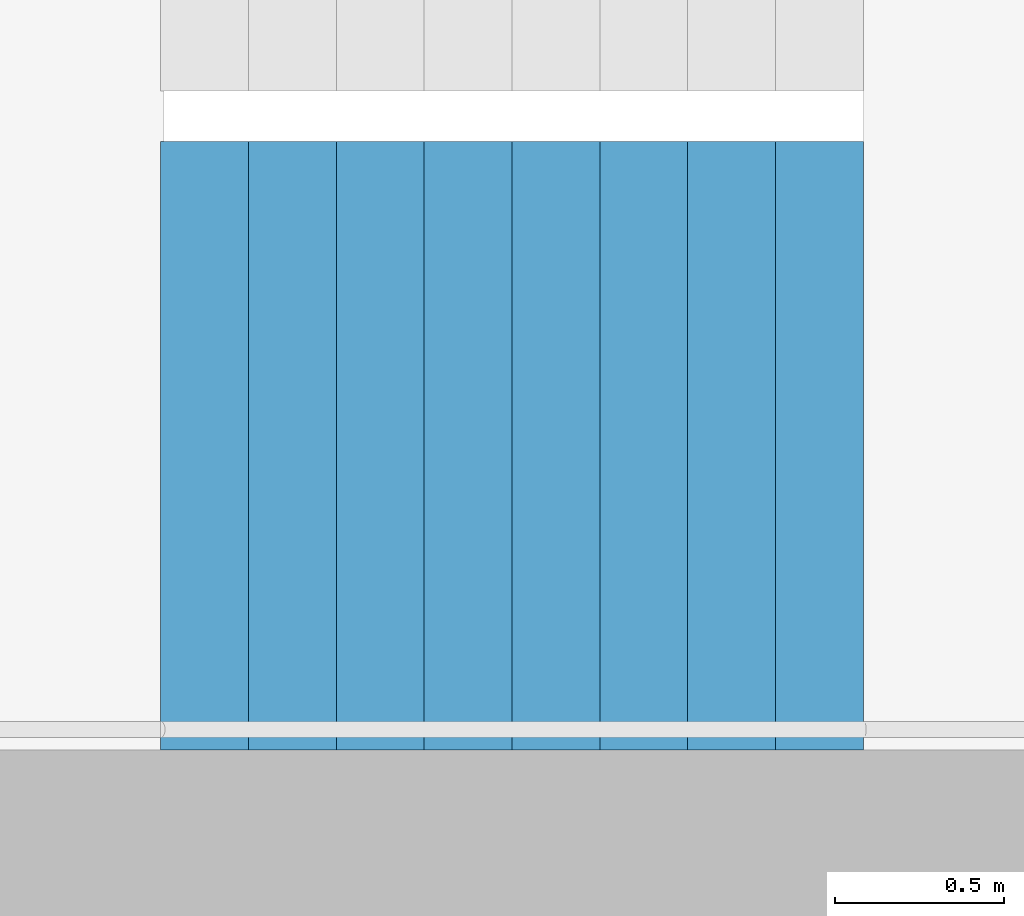
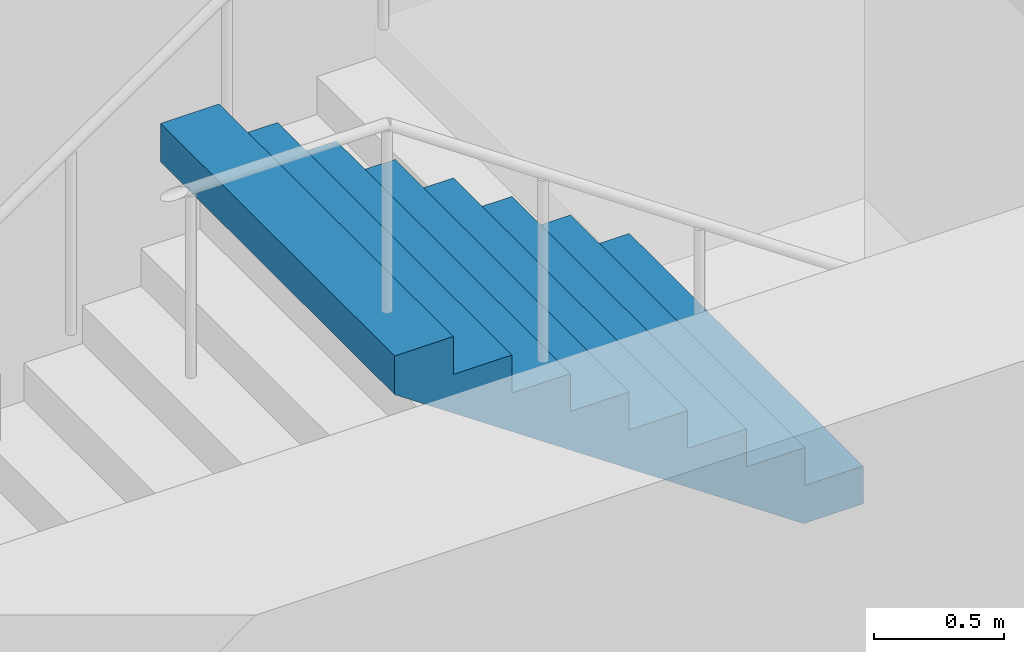
# One storey, part 22 of 26: 1 stair flight, 1 element without a shape of its own.
"""IFC4 building model written with IfcOpenShell, lengths in metres."""

import ifcopenshell
import ifcopenshell.guid

model = None  # the IFC model being written
_history = None  # IfcOwnerHistory: only IFC2X3 demands one
_inside = {}  # id of a spatial element -> (the spatial element, [elements in it])
_under = {}  # id of a project, library or spatial element -> (it, [spatial elements below it])
_declared = {}  # id of a project -> (the project, [libraries it declares])
_typed = {}  # id of a type object -> (the type object, [elements of that type])
_made_of = {}  # id of a material, layer set ... -> (it, [elements and type objects made of it])


def new_model(schema):
    """Start an empty IFC model of exactly this schema.

    Asked for "IFC4X3", IfcOpenShell would pick the latest addendum, in which some entities
    have other attributes; the version numbers below select the first issue.
    IFC2X3 requires an IfcOwnerHistory on every rooted entity: one is made here for all.
    """
    global model, _history
    if schema == "IFC4X3":
        model = ifcopenshell.file(schema_version=(4, 3, 0, 0))
    else:
        model = ifcopenshell.file(schema=schema)
    _inside.clear()
    _under.clear()
    _declared.clear()
    _typed.clear()
    _made_of.clear()
    _history = None
    if model.schema == "IFC2X3":
        org = make("IfcOrganization", Name="unknown")
        user = make(
            "IfcPersonAndOrganization",
            ThePerson=make("IfcPerson", FamilyName="unknown"),
            TheOrganization=org,
        )
        app = make(
            "IfcApplication",
            ApplicationDeveloper=org,
            Version="unknown",
            ApplicationFullName="unknown",
            ApplicationIdentifier="unknown",
        )
        _history = make(
            "IfcOwnerHistory",
            OwningUser=user,
            OwningApplication=app,
            ChangeAction="ADDED",
            CreationDate=0,
        )
    return model


def make(cls, **values):
    """One entity of the class cls with the attributes given. An attribute that is None is left unset."""
    return model.create_entity(
        cls, **{name: value for name, value in values.items() if value is not None}
    )


def rooted(cls, **values):
    """An entity with a GlobalId (a new one), such as an element, a storey or a relation."""
    return make(cls, GlobalId=ifcopenshell.guid.new(), OwnerHistory=_history, **values)


def si_unit(unit_type, name, prefix=None):
    """IfcSIUnit, for example si_unit("LENGTHUNIT", "METRE", prefix="MILLI")."""
    return make("IfcSIUnit", UnitType=unit_type, Prefix=prefix, Name=name)


def assignment(units):
    """IfcUnitAssignment: the units of a project."""
    return None if units is None else make("IfcUnitAssignment", Units=units)


def point(xyz):
    """IfcCartesianPoint."""
    return None if xyz is None else make("IfcCartesianPoint", Coordinates=xyz)


def direction(xyz):
    """IfcDirection."""
    return None if xyz is None else make("IfcDirection", DirectionRatios=xyz)


def frame(location, z_axis=None, x_axis=None):
    """IfcAxis2Placement3D, a coordinate frame: its origin and axes. An axis left out is left unset."""
    return make(
        "IfcAxis2Placement3D",
        Location=point(location),
        Axis=direction(z_axis),
        RefDirection=direction(x_axis),
    )


def origin():
    """The frame at (0, 0, 0) with its axes left unset."""
    return frame((0.0, 0.0, 0.0))


def place(relative_to, where):
    """IfcLocalPlacement: puts the frame where relative to a parent placement (None: the world)."""
    return make(
        "IfcLocalPlacement", PlacementRelTo=relative_to, RelativePlacement=where
    )


def context(
    kind, dimensions, precision=None, world=None, true_north=None, identifier=None
):
    """IfcGeometricRepresentationContext, for example the 3D "Model" context."""
    return make(
        "IfcGeometricRepresentationContext",
        ContextIdentifier=identifier,
        ContextType=kind,
        CoordinateSpaceDimension=dimensions,
        Precision=precision,
        WorldCoordinateSystem=world,
        TrueNorth=true_north,
    )


def subcontext(parent, identifier, kind, view, scale=None):
    """IfcGeometricRepresentationSubContext, for example "Body" below "Model"."""
    return make(
        "IfcGeometricRepresentationSubContext",
        ContextIdentifier=identifier,
        ContextType=kind,
        ParentContext=parent,
        TargetScale=scale,
        TargetView=view,
    )


def project(units=None, contexts=None):
    """IfcProject with its units and contexts."""
    return rooted(
        "IfcProject",
        Name="project",
        RepresentationContexts=contexts,
        UnitsInContext=assignment(units),
    )


def spatial(cls, under=None, at=None, **own):
    """A site, building, storey or space (cls), placed at a placement, below another one or the project."""
    s = rooted(cls, ObjectPlacement=at, **own)
    if under is not None:
        _under.setdefault(under.id(), (under, []))[1].append(s)
    return s


def point_list(points):
    """IfcCartesianPointList2D or 3D."""
    cls = (
        "IfcCartesianPointList2D" if len(points[0]) == 2 else "IfcCartesianPointList3D"
    )
    return make(cls, CoordList=points)


def triangles(points, corners, closed=None, point_numbers=None):
    """IfcTriangulatedFaceSet: each triangle names its three corners, points numbered from 1."""
    return make(
        "IfcTriangulatedFaceSet",
        Coordinates=point_list(points),
        Closed=closed,
        CoordIndex=corners,
        PnIndex=point_numbers,
    )


def shape(context_of_items, identifier, shape_type, items):
    """IfcShapeRepresentation: the items that make up one representation, for example the "Body"."""
    return make(
        "IfcShapeRepresentation",
        ContextOfItems=context_of_items,
        RepresentationIdentifier=identifier,
        RepresentationType=shape_type,
        Items=items,
    )


def material(Name=None, Category=None):
    """IfcMaterial."""
    return make("IfcMaterial", Name=Name, Category=Category)


def made_of(thing, what):
    """Note that an element or type object is made of a material, layer set ...; save() writes the relation."""
    if what is not None:
        _made_of.setdefault(what.id(), (what, []))[1].append(thing)
    return thing


def type_object(cls, material=None, **own):
    """A type object (cls), such as IfcWallType, which elements share."""
    return made_of(rooted(cls, **own), material)


def element(
    cls,
    number,
    at=None,
    inside=None,
    cuts=None,
    type_object=None,
    material=None,
    context=None,
    identifier="Body",
    shape_type=None,
    held_by="IfcProductDefinitionShape",
    body=None,
    shapes=None,
    **own,
):
    """One element of the class cls, such as IfcWall. Its Tag is "e" and its number.

    at: its placement. inside: the storey or other place that contains it. cuts: it is an
    opening in that element (IfcRelVoidsElement). A single representation is given by context,
    identifier, shape_type and body (its items); several are given by shapes. held_by: the class
    of the entity that holds the representations. save() writes the other relations.
    """
    e = rooted(cls, Tag="e%d" % number, ObjectPlacement=at, **own)
    if body is not None:
        shapes = [shape(context, identifier, shape_type, body)]
    if shapes is not None:
        e.Representation = make(held_by, Representations=shapes)
    if inside is not None:
        _inside.setdefault(inside.id(), (inside, []))[1].append(e)
    if cuts is not None:
        rooted(
            "IfcRelVoidsElement", RelatingBuildingElement=cuts, RelatedOpeningElement=e
        )
    if type_object is not None:
        _typed.setdefault(type_object.id(), (type_object, []))[1].append(e)
    return made_of(e, material)


def aggregate(whole, parts):
    """IfcRelAggregates: a whole, such as a stair, and the parts it consists of."""
    return rooted("IfcRelAggregates", RelatingObject=whole, RelatedObjects=parts)


def save(model, path):
    """Write the relations noted so far, then the file.

    IfcRelAggregates (storeys below a building ...), IfcRelContainedInSpatialStructure (elements
    in a storey), IfcRelDefinesByType, IfcRelAssociatesMaterial and IfcRelDeclares: one each for
    every whole, place, type object, material and project.
    """
    for whole, parts in _under.values():
        aggregate(whole, parts)
    for where, things in _inside.values():
        rooted(
            "IfcRelContainedInSpatialStructure",
            RelatedElements=things,
            RelatingStructure=where,
        )
    for kind, things in _typed.values():
        rooted("IfcRelDefinesByType", RelatedObjects=things, RelatingType=kind)
    for what, things in _made_of.values():
        rooted("IfcRelAssociatesMaterial", RelatedObjects=things, RelatingMaterial=what)
    for by, libraries in _declared.values():
        rooted("IfcRelDeclares", RelatingContext=by, RelatedDefinitions=libraries)
    model.write(path)


model = new_model("IFC4")

# Units and contexts
model_context = context("Model", 3, precision=1e-05, world=origin(), true_north=direction((0.0, 1.0)))
body_context = subcontext(model_context, "Body", "Model", "MODEL_VIEW")
ifc_project = project(units=[si_unit("LENGTHUNIT", "METRE"), si_unit("AREAUNIT", "SQUARE_METRE"), si_unit("VOLUMEUNIT", "CUBIC_METRE"), si_unit("PLANEANGLEUNIT", "RADIAN"), si_unit("MASSUNIT", "GRAM", prefix="KILO")], contexts=[model_context])

# Site, building, storey
site_placement = place(None, origin())
site = spatial("IfcSite", under=ifc_project, at=site_placement, CompositionType="ELEMENT")
building_placement = place(site_placement, origin())
building = spatial("IfcBuilding", under=site, at=building_placement, Name="Hakoniwa Tower and Hamabe Station Hall", CompositionType="ELEMENT")
storey_placement = place(building_placement, frame((0.0, 0.0, 134.199951171875)))
storey = spatial("IfcBuildingStorey", under=building, at=storey_placement, Name="L37", CompositionType="ELEMENT", Elevation=134.199951171875)

# Stair, stair flight
ifc_material_1 = material(Name="Concrete C40", Category="concrete")
stair_type = type_object("IfcStairType", Name="ESCAPE STAIR 1800", PredefinedType="HALF_TURN_STAIR", material=ifc_material_1)
stair_placement = place(storey_placement, origin())
stair = element("IfcStair", 1, at=stair_placement, inside=storey, type_object=stair_type, Name="Escape stair ST-4 L37", PredefinedType="HALF_TURN_STAIR")
ifc_material_2 = material(Name="Concrete C40", Category="concrete")
stair_flight_type = type_object("IfcStairFlightType", Name="STAIR FLIGHT 1800", PredefinedType="STRAIGHT", material=ifc_material_2)
stair_flight_placement = place(storey_placement, frame((25.47998046875, -6.60009765625, 1.60009765625), z_axis=(0.0, 0.0, 1.0), x_axis=(-1.0, 0.0, 0.0)))
stair_flight = element("IfcStairFlight", 2, at=stair_flight_placement, type_object=stair_flight_type, Name="ST-4 flight 2", NumberOfRisers=9, NumberOfTreads=8, PredefinedType="STRAIGHT", RiserHeight=0.177777778, TreadLength=0.26, context=body_context, shape_type="Tessellation", body=[
    triangles([(0.0, 0.89990234375, 0.0), (0.260009765625, 0.89990234375, 0.0), (0.265625, 0.89990234375, 0.0), (0.52001953125, 0.89990234375, 0.174072265625), (0.780029296875, 0.89990234375, 0.351806640625), (1.0400390625, 0.89990234375, 0.529541015625), (1.300048828125, 0.89990234375, 0.707275390625), (1.56005859375, 0.89990234375, 0.885009765625), (1.820068359375, 0.89990234375, 1.062744140625), (2.080078125, 0.89990234375, 1.24072265625), (2.080078125, 0.89990234375, 1.422119140625), (1.820068359375, 0.89990234375, 1.422119140625), (1.820068359375, 0.89990234375, 1.244384765625), (1.56005859375, 0.89990234375, 1.244384765625), (1.56005859375, 0.89990234375, 1.066650390625), (1.300048828125, 0.89990234375, 1.066650390625), (1.300048828125, 0.89990234375, 0.888916015625), (1.0400390625, 0.89990234375, 0.888916015625), (1.0400390625, 0.89990234375, 0.711181640625), (0.780029296875, 0.89990234375, 0.711181640625), (0.780029296875, 0.89990234375, 0.533447265625), (0.52001953125, 0.89990234375, 0.533447265625), (0.52001953125, 0.89990234375, 0.35546875), (0.265625, 0.89990234375, 0.35546875), (0.260009765625, 0.89990234375, 0.35546875), (0.260009765625, 0.89990234375, 0.177734375), (0.0, 0.89990234375, 0.177734375), (0.0, 0.06005859375, 0.0), (0.260009765625, 0.06005859375, 0.0), (0.265625, 0.06005859375, 0.0), (0.52001953125, 0.06005859375, 0.174072265625), (0.780029296875, 0.06005859375, 0.351806640625), (1.0400390625, 0.06005859375, 0.529541015625), (1.300048828125, 0.06005859375, 0.707275390625), (1.56005859375, 0.06005859375, 0.885009765625), (1.820068359375, 0.06005859375, 1.062744140625), (2.080078125, 0.06005859375, 1.24072265625), (2.080078125, 0.06005859375, 1.422119140625), (1.820068359375, 0.06005859375, 1.422119140625), (1.820068359375, 0.06005859375, 1.244384765625), (1.56005859375, 0.06005859375, 1.244384765625), (1.56005859375, 0.06005859375, 1.066650390625), (1.300048828125, 0.06005859375, 1.066650390625), (1.300048828125, 0.06005859375, 0.888916015625), (1.0400390625, 0.06005859375, 0.888916015625), (1.0400390625, 0.06005859375, 0.711181640625), (0.780029296875, 0.06005859375, 0.711181640625), (0.780029296875, 0.06005859375, 0.533447265625), (0.52001953125, 0.06005859375, 0.533447265625), (0.52001953125, 0.06005859375, 0.35546875), (0.265625, 0.06005859375, 0.35546875), (0.260009765625, 0.06005859375, 0.35546875), (0.260009765625, 0.06005859375, 0.177734375), (0.0, 0.06005859375, 0.177734375), (0.0, 0.04296875, 0.0), (0.260009765625, 0.04296875, 0.0), (0.265625, 0.04296875, 0.0), (0.52001953125, 0.04296875, 0.174072265625), (0.780029296875, 0.04296875, 0.351806640625), (1.0400390625, 0.04296875, 0.529541015625), (1.300048828125, 0.04296875, 0.707275390625), (1.56005859375, 0.04296875, 0.885009765625), (1.820068359375, 0.04296875, 1.062744140625), (2.080078125, 0.04296875, 1.24072265625), (2.080078125, 0.04296875, 1.422119140625), (1.820068359375, 0.04296875, 1.422119140625), (1.820068359375, 0.04296875, 1.244384765625), (1.56005859375, 0.04296875, 1.244384765625), (1.56005859375, 0.04296875, 1.066650390625), (1.300048828125, 0.04296875, 1.066650390625), (1.300048828125, 0.04296875, 0.888916015625), (1.0400390625, 0.04296875, 0.888916015625), (1.0400390625, 0.04296875, 0.711181640625), (0.780029296875, 0.04296875, 0.711181640625), (0.780029296875, 0.04296875, 0.533447265625), (0.52001953125, 0.04296875, 0.533447265625), (0.52001953125, 0.04296875, 0.35546875), (0.265625, 0.04296875, 0.35546875), (0.260009765625, 0.04296875, 0.35546875), (0.260009765625, 0.04296875, 0.177734375), (0.0, 0.04296875, 0.177734375), (0.0, 0.025634765625, 0.0), (0.260009765625, 0.025634765625, 0.0), (0.265625, 0.025634765625, 0.0), (0.52001953125, 0.025634765625, 0.174072265625), (0.780029296875, 0.025634765625, 0.351806640625), (1.0400390625, 0.025634765625, 0.529541015625), (1.300048828125, 0.025634765625, 0.707275390625), (1.56005859375, 0.025634765625, 0.885009765625), (1.820068359375, 0.025634765625, 1.062744140625), (2.080078125, 0.025634765625, 1.24072265625), (2.080078125, 0.025634765625, 1.422119140625), (1.820068359375, 0.025634765625, 1.422119140625), (1.820068359375, 0.025634765625, 1.244384765625), (1.56005859375, 0.025634765625, 1.244384765625), (1.56005859375, 0.025634765625, 1.066650390625), (1.300048828125, 0.025634765625, 1.066650390625), (1.300048828125, 0.025634765625, 0.888916015625), (1.0400390625, 0.025634765625, 0.888916015625), (1.0400390625, 0.025634765625, 0.711181640625), (0.780029296875, 0.025634765625, 0.711181640625), (0.780029296875, 0.025634765625, 0.533447265625), (0.52001953125, 0.025634765625, 0.533447265625), (0.52001953125, 0.025634765625, 0.35546875), (0.265625, 0.025634765625, 0.35546875), (0.260009765625, 0.025634765625, 0.35546875), (0.260009765625, 0.025634765625, 0.177734375), (0.0, 0.025634765625, 0.177734375), (0.0, 0.008544921875, 0.0), (0.260009765625, 0.008544921875, 0.0), (0.265625, 0.008544921875, 0.0), (0.52001953125, 0.008544921875, 0.174072265625), (0.780029296875, 0.008544921875, 0.351806640625), (1.0400390625, 0.008544921875, 0.529541015625), (1.300048828125, 0.008544921875, 0.707275390625), (1.56005859375, 0.008544921875, 0.885009765625), (1.820068359375, 0.008544921875, 1.062744140625), (2.080078125, 0.008544921875, 1.24072265625), (2.080078125, 0.008544921875, 1.422119140625), (1.820068359375, 0.008544921875, 1.422119140625), (1.820068359375, 0.008544921875, 1.244384765625), (1.56005859375, 0.008544921875, 1.244384765625), (1.56005859375, 0.008544921875, 1.066650390625), (1.300048828125, 0.008544921875, 1.066650390625), (1.300048828125, 0.008544921875, 0.888916015625), (1.0400390625, 0.008544921875, 0.888916015625), (1.0400390625, 0.008544921875, 0.711181640625), (0.780029296875, 0.008544921875, 0.711181640625), (0.780029296875, 0.008544921875, 0.533447265625), (0.52001953125, 0.008544921875, 0.533447265625), (0.52001953125, 0.008544921875, 0.35546875), (0.265625, 0.008544921875, 0.35546875), (0.260009765625, 0.008544921875, 0.35546875), (0.260009765625, 0.008544921875, 0.177734375), (0.0, 0.008544921875, 0.177734375), (0.0, -0.008544921875, 0.0), (0.260009765625, -0.008544921875, 0.0), (0.265625, -0.008544921875, 0.0), (0.52001953125, -0.008544921875, 0.174072265625), (0.780029296875, -0.008544921875, 0.351806640625), (1.0400390625, -0.008544921875, 0.529541015625), (1.300048828125, -0.008544921875, 0.707275390625), (1.56005859375, -0.008544921875, 0.885009765625), (1.820068359375, -0.008544921875, 1.062744140625), (2.080078125, -0.008544921875, 1.24072265625), (2.080078125, -0.008544921875, 1.422119140625), (1.820068359375, -0.008544921875, 1.422119140625), (1.820068359375, -0.008544921875, 1.244384765625), (1.56005859375, -0.008544921875, 1.244384765625), (1.56005859375, -0.008544921875, 1.066650390625), (1.300048828125, -0.008544921875, 1.066650390625), (1.300048828125, -0.008544921875, 0.888916015625), (1.0400390625, -0.008544921875, 0.888916015625), (1.0400390625, -0.008544921875, 0.711181640625), (0.780029296875, -0.008544921875, 0.711181640625), (0.780029296875, -0.008544921875, 0.533447265625), (0.52001953125, -0.008544921875, 0.533447265625), (0.52001953125, -0.008544921875, 0.35546875), (0.265625, -0.008544921875, 0.35546875), (0.260009765625, -0.008544921875, 0.35546875), (0.260009765625, -0.008544921875, 0.177734375), (0.0, -0.008544921875, 0.177734375), (0.0, -0.025634765625, 0.0), (0.260009765625, -0.025634765625, 0.0), (0.265625, -0.025634765625, 0.0), (0.52001953125, -0.025634765625, 0.174072265625), (0.780029296875, -0.025634765625, 0.351806640625), (1.0400390625, -0.025634765625, 0.529541015625), (1.300048828125, -0.025634765625, 0.707275390625), (1.56005859375, -0.025634765625, 0.885009765625), (1.820068359375, -0.025634765625, 1.062744140625), (2.080078125, -0.025634765625, 1.24072265625), (2.080078125, -0.025634765625, 1.422119140625), (1.820068359375, -0.025634765625, 1.422119140625), (1.820068359375, -0.025634765625, 1.244384765625), (1.56005859375, -0.025634765625, 1.244384765625), (1.56005859375, -0.025634765625, 1.066650390625), (1.300048828125, -0.025634765625, 1.066650390625), (1.300048828125, -0.025634765625, 0.888916015625), (1.0400390625, -0.025634765625, 0.888916015625), (1.0400390625, -0.025634765625, 0.711181640625), (0.780029296875, -0.025634765625, 0.711181640625), (0.780029296875, -0.025634765625, 0.533447265625), (0.52001953125, -0.025634765625, 0.533447265625), (0.52001953125, -0.025634765625, 0.35546875), (0.265625, -0.025634765625, 0.35546875), (0.260009765625, -0.025634765625, 0.35546875), (0.260009765625, -0.025634765625, 0.177734375), (0.0, -0.025634765625, 0.177734375), (0.0, -0.04296875, 0.0), (0.260009765625, -0.04296875, 0.0), (0.265625, -0.04296875, 0.0), (0.52001953125, -0.04296875, 0.174072265625), (0.780029296875, -0.04296875, 0.351806640625), (1.0400390625, -0.04296875, 0.529541015625), (1.300048828125, -0.04296875, 0.707275390625), (1.56005859375, -0.04296875, 0.885009765625), (1.820068359375, -0.04296875, 1.062744140625), (2.080078125, -0.04296875, 1.24072265625), (2.080078125, -0.04296875, 1.422119140625), (1.820068359375, -0.04296875, 1.422119140625), (1.820068359375, -0.04296875, 1.244384765625), (1.56005859375, -0.04296875, 1.244384765625), (1.56005859375, -0.04296875, 1.066650390625), (1.300048828125, -0.04296875, 1.066650390625), (1.300048828125, -0.04296875, 0.888916015625), (1.0400390625, -0.04296875, 0.888916015625), (1.0400390625, -0.04296875, 0.711181640625), (0.780029296875, -0.04296875, 0.711181640625), (0.780029296875, -0.04296875, 0.533447265625), (0.52001953125, -0.04296875, 0.533447265625), (0.52001953125, -0.04296875, 0.35546875), (0.265625, -0.04296875, 0.35546875), (0.260009765625, -0.04296875, 0.35546875), (0.260009765625, -0.04296875, 0.177734375), (0.0, -0.04296875, 0.177734375), (0.0, -0.06005859375, 0.0), (0.260009765625, -0.06005859375, 0.0), (0.265625, -0.06005859375, 0.0), (0.52001953125, -0.06005859375, 0.174072265625), (0.780029296875, -0.06005859375, 0.351806640625), (1.0400390625, -0.06005859375, 0.529541015625), (1.300048828125, -0.06005859375, 0.707275390625), (1.56005859375, -0.06005859375, 0.885009765625), (1.820068359375, -0.06005859375, 1.062744140625), (2.080078125, -0.06005859375, 1.24072265625), (2.080078125, -0.06005859375, 1.422119140625), (1.820068359375, -0.06005859375, 1.422119140625), (1.820068359375, -0.06005859375, 1.244384765625), (1.56005859375, -0.06005859375, 1.244384765625), (1.56005859375, -0.06005859375, 1.066650390625), (1.300048828125, -0.06005859375, 1.066650390625), (1.300048828125, -0.06005859375, 0.888916015625), (1.0400390625, -0.06005859375, 0.888916015625), (1.0400390625, -0.06005859375, 0.711181640625), (0.780029296875, -0.06005859375, 0.711181640625), (0.780029296875, -0.06005859375, 0.533447265625), (0.52001953125, -0.06005859375, 0.533447265625), (0.52001953125, -0.06005859375, 0.35546875), (0.265625, -0.06005859375, 0.35546875), (0.260009765625, -0.06005859375, 0.35546875), (0.260009765625, -0.06005859375, 0.177734375), (0.0, -0.06005859375, 0.177734375), (0.0, -0.89990234375, 0.0), (0.260009765625, -0.89990234375, 0.0), (0.265625, -0.89990234375, 0.0), (0.52001953125, -0.89990234375, 0.174072265625), (0.780029296875, -0.89990234375, 0.351806640625), (1.0400390625, -0.89990234375, 0.529541015625), (1.300048828125, -0.89990234375, 0.707275390625), (1.56005859375, -0.89990234375, 0.885009765625), (1.820068359375, -0.89990234375, 1.062744140625), (2.080078125, -0.89990234375, 1.24072265625), (2.080078125, -0.89990234375, 1.422119140625), (1.820068359375, -0.89990234375, 1.422119140625), (1.820068359375, -0.89990234375, 1.244384765625), (1.56005859375, -0.89990234375, 1.244384765625), (1.56005859375, -0.89990234375, 1.066650390625), (1.300048828125, -0.89990234375, 1.066650390625), (1.300048828125, -0.89990234375, 0.888916015625), (1.0400390625, -0.89990234375, 0.888916015625), (1.0400390625, -0.89990234375, 0.711181640625), (0.780029296875, -0.89990234375, 0.711181640625), (0.780029296875, -0.89990234375, 0.533447265625), (0.52001953125, -0.89990234375, 0.533447265625), (0.52001953125, -0.89990234375, 0.35546875), (0.265625, -0.89990234375, 0.35546875), (0.260009765625, -0.89990234375, 0.35546875), (0.260009765625, -0.89990234375, 0.177734375), (0.0, -0.89990234375, 0.177734375)], [[2, 27, 26], [245, 269, 270], [2, 1, 27], [245, 270, 244], [3, 25, 24], [246, 267, 268], [3, 26, 25], [246, 268, 269], [3, 2, 26], [246, 269, 245], [4, 24, 23], [247, 266, 267], [4, 3, 24], [247, 267, 246], [5, 22, 21], [248, 264, 265], [5, 23, 22], [248, 265, 266], [5, 4, 23], [248, 266, 247], [6, 20, 19], [249, 262, 263], [6, 21, 20], [249, 263, 264], [6, 5, 21], [249, 264, 248], [7, 18, 17], [250, 260, 261], [7, 19, 18], [250, 261, 262], [7, 6, 19], [250, 262, 249], [8, 16, 15], [251, 258, 259], [8, 17, 16], [251, 259, 260], [8, 7, 17], [251, 260, 250], [9, 14, 13], [252, 256, 257], [9, 15, 14], [252, 257, 258], [9, 8, 15], [252, 258, 251], [10, 12, 11], [253, 254, 255], [10, 13, 12], [253, 255, 256], [10, 9, 13], [253, 256, 252], [1, 2, 29], [1, 29, 28], [28, 29, 56], [28, 56, 55], [55, 56, 83], [55, 83, 82], [82, 83, 110], [82, 110, 109], [109, 110, 137], [109, 137, 136], [136, 137, 164], [136, 164, 163], [163, 164, 191], [163, 191, 190], [190, 191, 218], [190, 218, 217], [217, 218, 245], [217, 245, 244], [2, 3, 30], [2, 30, 29], [29, 30, 57], [29, 57, 56], [56, 57, 84], [56, 84, 83], [83, 84, 111], [83, 111, 110], [110, 111, 138], [110, 138, 137], [137, 138, 165], [137, 165, 164], [164, 165, 192], [164, 192, 191], [191, 192, 219], [191, 219, 218], [218, 219, 246], [218, 246, 245], [3, 4, 31], [3, 31, 30], [30, 31, 58], [30, 58, 57], [57, 58, 85], [57, 85, 84], [84, 85, 112], [84, 112, 111], [111, 112, 139], [111, 139, 138], [138, 139, 166], [138, 166, 165], [165, 166, 193], [165, 193, 192], [192, 193, 220], [192, 220, 219], [219, 220, 247], [219, 247, 246], [4, 5, 32], [4, 32, 31], [31, 32, 59], [31, 59, 58], [58, 59, 86], [58, 86, 85], [85, 86, 113], [85, 113, 112], [112, 113, 140], [112, 140, 139], [139, 140, 167], [139, 167, 166], [166, 167, 194], [166, 194, 193], [193, 194, 221], [193, 221, 220], [220, 221, 248], [220, 248, 247], [5, 6, 33], [5, 33, 32], [32, 33, 60], [32, 60, 59], [59, 60, 87], [59, 87, 86], [86, 87, 114], [86, 114, 113], [113, 114, 141], [113, 141, 140], [140, 141, 168], [140, 168, 167], [167, 168, 195], [167, 195, 194], [194, 195, 222], [194, 222, 221], [221, 222, 249], [221, 249, 248], [6, 7, 34], [6, 34, 33], [33, 34, 61], [33, 61, 60], [60, 61, 88], [60, 88, 87], [87, 88, 115], [87, 115, 114], [114, 115, 142], [114, 142, 141], [141, 142, 169], [141, 169, 168], [168, 169, 196], [168, 196, 195], [195, 196, 223], [195, 223, 222], [222, 223, 250], [222, 250, 249], [7, 8, 35], [7, 35, 34], [34, 35, 62], [34, 62, 61], [61, 62, 89], [61, 89, 88], [88, 89, 116], [88, 116, 115], [115, 116, 143], [115, 143, 142], [142, 143, 170], [142, 170, 169], [169, 170, 197], [169, 197, 196], [196, 197, 224], [196, 224, 223], [223, 224, 251], [223, 251, 250], [8, 9, 36], [8, 36, 35], [35, 36, 63], [35, 63, 62], [62, 63, 90], [62, 90, 89], [89, 90, 117], [89, 117, 116], [116, 117, 144], [116, 144, 143], [143, 144, 171], [143, 171, 170], [170, 171, 198], [170, 198, 197], [197, 198, 225], [197, 225, 224], [224, 225, 252], [224, 252, 251], [9, 10, 37], [9, 37, 36], [36, 37, 64], [36, 64, 63], [63, 64, 91], [63, 91, 90], [90, 91, 118], [90, 118, 117], [117, 118, 145], [117, 145, 144], [144, 145, 172], [144, 172, 171], [171, 172, 199], [171, 199, 198], [198, 199, 226], [198, 226, 225], [225, 226, 253], [225, 253, 252], [10, 11, 38], [10, 38, 37], [37, 38, 65], [37, 65, 64], [64, 65, 92], [64, 92, 91], [91, 92, 119], [91, 119, 118], [118, 119, 146], [118, 146, 145], [145, 146, 173], [145, 173, 172], [172, 173, 200], [172, 200, 199], [199, 200, 227], [199, 227, 226], [226, 227, 254], [226, 254, 253], [11, 12, 39], [11, 39, 38], [38, 39, 66], [38, 66, 65], [65, 66, 93], [65, 93, 92], [92, 93, 120], [92, 120, 119], [119, 120, 147], [119, 147, 146], [146, 147, 174], [146, 174, 173], [173, 174, 201], [173, 201, 200], [200, 201, 228], [200, 228, 227], [227, 228, 255], [227, 255, 254], [12, 13, 40], [12, 40, 39], [39, 40, 67], [39, 67, 66], [66, 67, 94], [66, 94, 93], [93, 94, 121], [93, 121, 120], [120, 121, 148], [120, 148, 147], [147, 148, 175], [147, 175, 174], [174, 175, 202], [174, 202, 201], [201, 202, 229], [201, 229, 228], [228, 229, 256], [228, 256, 255], [13, 14, 41], [13, 41, 40], [40, 41, 68], [40, 68, 67], [67, 68, 95], [67, 95, 94], [94, 95, 122], [94, 122, 121], [121, 122, 149], [121, 149, 148], [148, 149, 176], [148, 176, 175], [175, 176, 203], [175, 203, 202], [202, 203, 230], [202, 230, 229], [229, 230, 257], [229, 257, 256], [14, 15, 42], [14, 42, 41], [41, 42, 69], [41, 69, 68], [68, 69, 96], [68, 96, 95], [95, 96, 123], [95, 123, 122], [122, 123, 150], [122, 150, 149], [149, 150, 177], [149, 177, 176], [176, 177, 204], [176, 204, 203], [203, 204, 231], [203, 231, 230], [230, 231, 258], [230, 258, 257], [15, 16, 43], [15, 43, 42], [42, 43, 70], [42, 70, 69], [69, 70, 97], [69, 97, 96], [96, 97, 124], [96, 124, 123], [123, 124, 151], [123, 151, 150], [150, 151, 178], [150, 178, 177], [177, 178, 205], [177, 205, 204], [204, 205, 232], [204, 232, 231], [231, 232, 259], [231, 259, 258], [16, 17, 44], [16, 44, 43], [43, 44, 71], [43, 71, 70], [70, 71, 98], [70, 98, 97], [97, 98, 125], [97, 125, 124], [124, 125, 152], [124, 152, 151], [151, 152, 179], [151, 179, 178], [178, 179, 206], [178, 206, 205], [205, 206, 233], [205, 233, 232], [232, 233, 260], [232, 260, 259], [17, 18, 45], [17, 45, 44], [44, 45, 72], [44, 72, 71], [71, 72, 99], [71, 99, 98], [98, 99, 126], [98, 126, 125], [125, 126, 153], [125, 153, 152], [152, 153, 180], [152, 180, 179], [179, 180, 207], [179, 207, 206], [206, 207, 234], [206, 234, 233], [233, 234, 261], [233, 261, 260], [18, 19, 46], [18, 46, 45], [45, 46, 73], [45, 73, 72], [72, 73, 100], [72, 100, 99], [99, 100, 127], [99, 127, 126], [126, 127, 154], [126, 154, 153], [153, 154, 181], [153, 181, 180], [180, 181, 208], [180, 208, 207], [207, 208, 235], [207, 235, 234], [234, 235, 262], [234, 262, 261], [19, 20, 47], [19, 47, 46], [46, 47, 74], [46, 74, 73], [73, 74, 101], [73, 101, 100], [100, 101, 128], [100, 128, 127], [127, 128, 155], [127, 155, 154], [154, 155, 182], [154, 182, 181], [181, 182, 209], [181, 209, 208], [208, 209, 236], [208, 236, 235], [235, 236, 263], [235, 263, 262], [20, 21, 48], [20, 48, 47], [47, 48, 75], [47, 75, 74], [74, 75, 102], [74, 102, 101], [101, 102, 129], [101, 129, 128], [128, 129, 156], [128, 156, 155], [155, 156, 183], [155, 183, 182], [182, 183, 210], [182, 210, 209], [209, 210, 237], [209, 237, 236], [236, 237, 264], [236, 264, 263], [21, 22, 49], [21, 49, 48], [48, 49, 76], [48, 76, 75], [75, 76, 103], [75, 103, 102], [102, 103, 130], [102, 130, 129], [129, 130, 157], [129, 157, 156], [156, 157, 184], [156, 184, 183], [183, 184, 211], [183, 211, 210], [210, 211, 238], [210, 238, 237], [237, 238, 265], [237, 265, 264], [22, 23, 50], [22, 50, 49], [49, 50, 77], [49, 77, 76], [76, 77, 104], [76, 104, 103], [103, 104, 131], [103, 131, 130], [130, 131, 158], [130, 158, 157], [157, 158, 185], [157, 185, 184], [184, 185, 212], [184, 212, 211], [211, 212, 239], [211, 239, 238], [238, 239, 266], [238, 266, 265], [23, 24, 51], [23, 51, 50], [50, 51, 78], [50, 78, 77], [77, 78, 105], [77, 105, 104], [104, 105, 132], [104, 132, 131], [131, 132, 159], [131, 159, 158], [158, 159, 186], [158, 186, 185], [185, 186, 213], [185, 213, 212], [212, 213, 240], [212, 240, 239], [239, 240, 267], [239, 267, 266], [24, 25, 52], [24, 52, 51], [51, 52, 79], [51, 79, 78], [78, 79, 106], [78, 106, 105], [105, 106, 133], [105, 133, 132], [132, 133, 160], [132, 160, 159], [159, 160, 187], [159, 187, 186], [186, 187, 214], [186, 214, 213], [213, 214, 241], [213, 241, 240], [240, 241, 268], [240, 268, 267], [25, 26, 53], [25, 53, 52], [52, 53, 80], [52, 80, 79], [79, 80, 107], [79, 107, 106], [106, 107, 134], [106, 134, 133], [133, 134, 161], [133, 161, 160], [160, 161, 188], [160, 188, 187], [187, 188, 215], [187, 215, 214], [214, 215, 242], [214, 242, 241], [241, 242, 269], [241, 269, 268], [26, 27, 54], [26, 54, 53], [53, 54, 81], [53, 81, 80], [80, 81, 108], [80, 108, 107], [107, 108, 135], [107, 135, 134], [134, 135, 162], [134, 162, 161], [161, 162, 189], [161, 189, 188], [188, 189, 216], [188, 216, 215], [215, 216, 243], [215, 243, 242], [242, 243, 270], [242, 270, 269], [27, 1, 28], [27, 28, 54], [54, 28, 55], [54, 55, 81], [81, 55, 82], [81, 82, 108], [108, 82, 109], [108, 109, 135], [135, 109, 136], [135, 136, 162], [162, 136, 163], [162, 163, 189], [189, 163, 190], [189, 190, 216], [216, 190, 217], [216, 217, 243], [243, 217, 244], [243, 244, 270]], closed=True),
])
aggregate(stair, [stair_flight])

save(model, "model.ifc")
